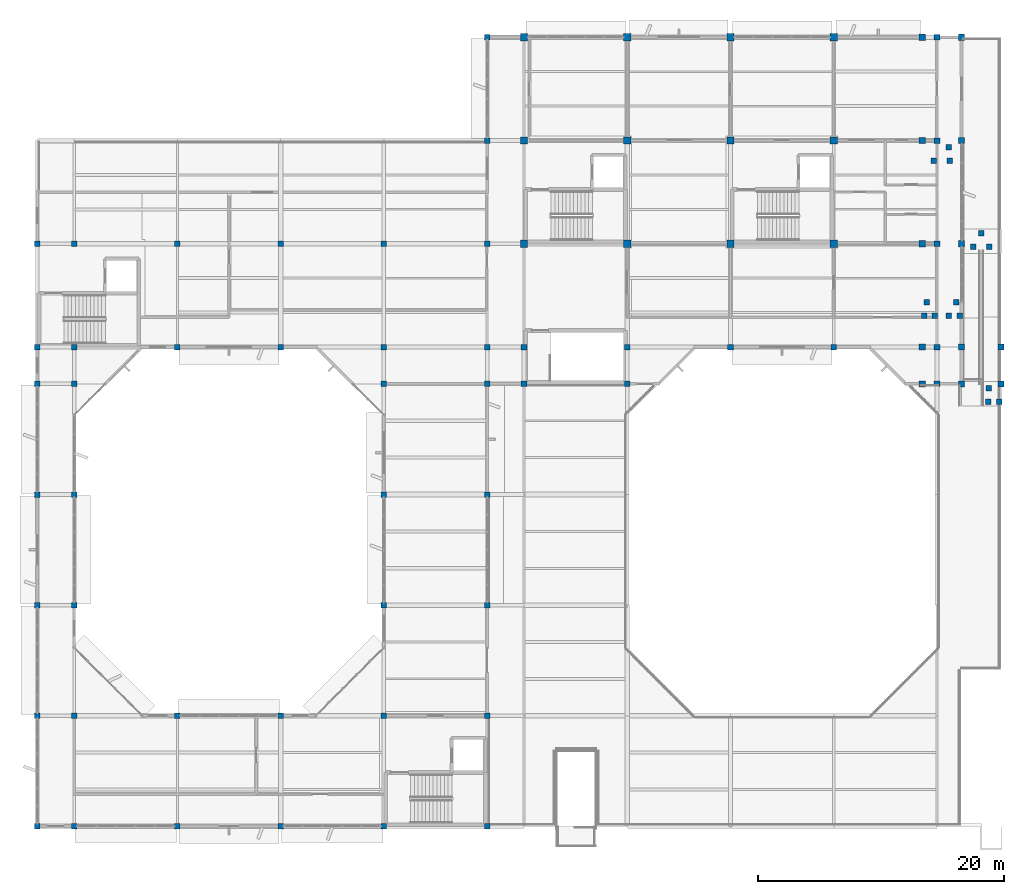
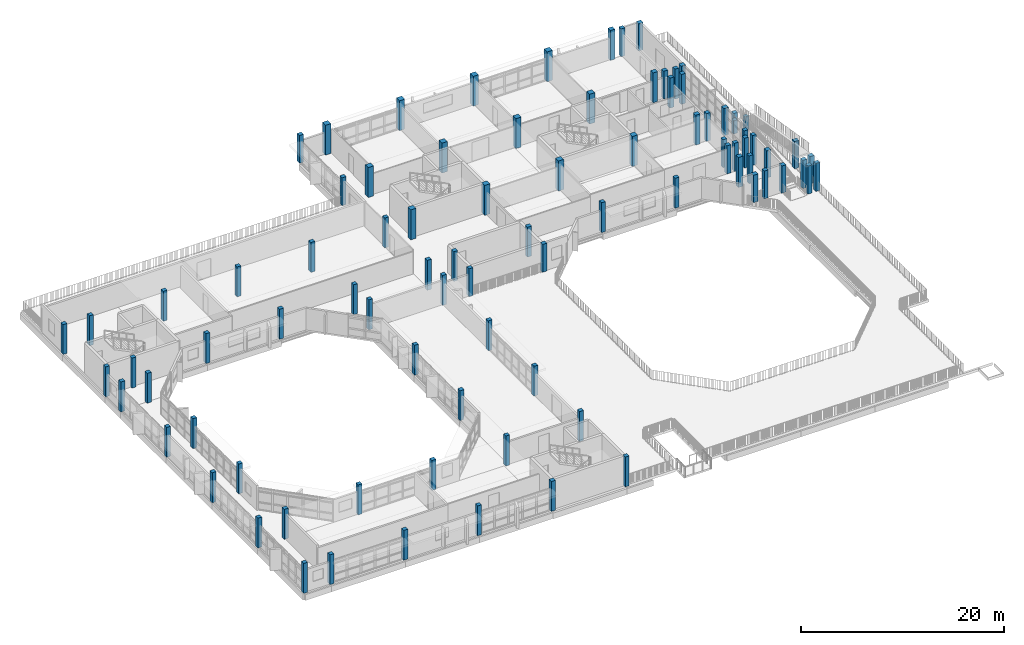
# One storey, part 1 of 42: 88 columns.
"""IFC4 building model written with IfcOpenShell, lengths in metres."""

import ifcopenshell
import ifcopenshell.guid

model = None  # the IFC model being written
_history = None  # IfcOwnerHistory: only IFC2X3 demands one
_inside = {}  # id of a spatial element -> (the spatial element, [elements in it])
_under = {}  # id of a project, library or spatial element -> (it, [spatial elements below it])
_declared = {}  # id of a project -> (the project, [libraries it declares])
_typed = {}  # id of a type object -> (the type object, [elements of that type])
_made_of = {}  # id of a material, layer set ... -> (it, [elements and type objects made of it])


def new_model(schema):
    """Start an empty IFC model of exactly this schema.

    Asked for "IFC4X3", IfcOpenShell would pick the latest addendum, in which some entities
    have other attributes; the version numbers below select the first issue.
    IFC2X3 requires an IfcOwnerHistory on every rooted entity: one is made here for all.
    """
    global model, _history
    if schema == "IFC4X3":
        model = ifcopenshell.file(schema_version=(4, 3, 0, 0))
    else:
        model = ifcopenshell.file(schema=schema)
    _inside.clear()
    _under.clear()
    _declared.clear()
    _typed.clear()
    _made_of.clear()
    _history = None
    if model.schema == "IFC2X3":
        org = make("IfcOrganization", Name="unknown")
        user = make(
            "IfcPersonAndOrganization",
            ThePerson=make("IfcPerson", FamilyName="unknown"),
            TheOrganization=org,
        )
        app = make(
            "IfcApplication",
            ApplicationDeveloper=org,
            Version="unknown",
            ApplicationFullName="unknown",
            ApplicationIdentifier="unknown",
        )
        _history = make(
            "IfcOwnerHistory",
            OwningUser=user,
            OwningApplication=app,
            ChangeAction="ADDED",
            CreationDate=0,
        )
    return model


def make(cls, **values):
    """One entity of the class cls with the attributes given. An attribute that is None is left unset."""
    return model.create_entity(
        cls, **{name: value for name, value in values.items() if value is not None}
    )


def rooted(cls, **values):
    """An entity with a GlobalId (a new one), such as an element, a storey or a relation."""
    return make(cls, GlobalId=ifcopenshell.guid.new(), OwnerHistory=_history, **values)


def si_unit(unit_type, name, prefix=None):
    """IfcSIUnit, for example si_unit("LENGTHUNIT", "METRE", prefix="MILLI")."""
    return make("IfcSIUnit", UnitType=unit_type, Prefix=prefix, Name=name)


def assignment(units):
    """IfcUnitAssignment: the units of a project."""
    return None if units is None else make("IfcUnitAssignment", Units=units)


def point(xyz):
    """IfcCartesianPoint."""
    return None if xyz is None else make("IfcCartesianPoint", Coordinates=xyz)


def direction(xyz):
    """IfcDirection."""
    return None if xyz is None else make("IfcDirection", DirectionRatios=xyz)


def frame(location, z_axis=None, x_axis=None):
    """IfcAxis2Placement3D, a coordinate frame: its origin and axes. An axis left out is left unset."""
    return make(
        "IfcAxis2Placement3D",
        Location=point(location),
        Axis=direction(z_axis),
        RefDirection=direction(x_axis),
    )


def frame_2d(location, x_axis=None):
    """IfcAxis2Placement2D, a coordinate frame in the plane: its origin and x axis."""
    return make(
        "IfcAxis2Placement2D", Location=point(location), RefDirection=direction(x_axis)
    )


def origin():
    """The frame at (0, 0, 0) with its axes left unset."""
    return frame((0.0, 0.0, 0.0))


def origin_2d():
    """The frame at (0, 0) in the plane with its x axis left unset."""
    return frame_2d((0.0, 0.0))


def place(relative_to, where):
    """IfcLocalPlacement: puts the frame where relative to a parent placement (None: the world)."""
    return make(
        "IfcLocalPlacement", PlacementRelTo=relative_to, RelativePlacement=where
    )


def context(
    kind, dimensions, precision=None, world=None, true_north=None, identifier=None
):
    """IfcGeometricRepresentationContext, for example the 3D "Model" context."""
    return make(
        "IfcGeometricRepresentationContext",
        ContextIdentifier=identifier,
        ContextType=kind,
        CoordinateSpaceDimension=dimensions,
        Precision=precision,
        WorldCoordinateSystem=world,
        TrueNorth=true_north,
    )


def subcontext(parent, identifier, kind, view, scale=None):
    """IfcGeometricRepresentationSubContext, for example "Body" below "Model"."""
    return make(
        "IfcGeometricRepresentationSubContext",
        ContextIdentifier=identifier,
        ContextType=kind,
        ParentContext=parent,
        TargetScale=scale,
        TargetView=view,
    )


def project(units=None, contexts=None):
    """IfcProject with its units and contexts."""
    return rooted(
        "IfcProject",
        Name="project",
        RepresentationContexts=contexts,
        UnitsInContext=assignment(units),
    )


def spatial(cls, under=None, at=None, **own):
    """A site, building, storey or space (cls), placed at a placement, below another one or the project."""
    s = rooted(cls, ObjectPlacement=at, **own)
    if under is not None:
        _under.setdefault(under.id(), (under, []))[1].append(s)
    return s


def profile(cls, at=None, kind="AREA", **sizes):
    """A parametric profile (cls). Its sizes go by their IFC names, for example OverallWidth=200.0."""
    return make(cls, ProfileType=kind, Position=at, **sizes)


def rectangle(**sizes):
    """IfcRectangleProfileDef."""
    return profile("IfcRectangleProfileDef", **sizes)


def extrude(swept, where, along, depth):
    """IfcExtrudedAreaSolid: the profile swept, set in the frame where, extruded along a direction by depth."""
    return make(
        "IfcExtrudedAreaSolid",
        SweptArea=swept,
        Position=where,
        ExtrudedDirection=direction(along),
        Depth=depth,
    )


def shape(context_of_items, identifier, shape_type, items):
    """IfcShapeRepresentation: the items that make up one representation, for example the "Body"."""
    return make(
        "IfcShapeRepresentation",
        ContextOfItems=context_of_items,
        RepresentationIdentifier=identifier,
        RepresentationType=shape_type,
        Items=items,
    )


def material(Name=None, Category=None):
    """IfcMaterial."""
    return make("IfcMaterial", Name=Name, Category=Category)


def material_profile(
    of_material, cross_section, Name=None, Category=None, Priority=None
):
    """IfcMaterialProfile: a cross section and its material."""
    return make(
        "IfcMaterialProfile",
        Name=Name,
        Material=of_material,
        Profile=cross_section,
        Priority=Priority,
        Category=Category,
    )


def profile_set(profiles, Name=None, composite=None):
    """IfcMaterialProfileSet."""
    return make(
        "IfcMaterialProfileSet",
        Name=Name,
        MaterialProfiles=profiles,
        CompositeProfile=composite,
    )


def made_of(thing, what):
    """Note that an element or type object is made of a material, layer set ...; save() writes the relation."""
    if what is not None:
        _made_of.setdefault(what.id(), (what, []))[1].append(thing)
    return thing


def type_object(cls, material=None, **own):
    """A type object (cls), such as IfcWallType, which elements share."""
    return made_of(rooted(cls, **own), material)


def element(
    cls,
    number,
    at=None,
    inside=None,
    cuts=None,
    type_object=None,
    material=None,
    context=None,
    identifier="Body",
    shape_type=None,
    held_by="IfcProductDefinitionShape",
    body=None,
    shapes=None,
    **own,
):
    """One element of the class cls, such as IfcWall. Its Tag is "e" and its number.

    at: its placement. inside: the storey or other place that contains it. cuts: it is an
    opening in that element (IfcRelVoidsElement). A single representation is given by context,
    identifier, shape_type and body (its items); several are given by shapes. held_by: the class
    of the entity that holds the representations. save() writes the other relations.
    """
    e = rooted(cls, Tag="e%d" % number, ObjectPlacement=at, **own)
    if body is not None:
        shapes = [shape(context, identifier, shape_type, body)]
    if shapes is not None:
        e.Representation = make(held_by, Representations=shapes)
    if inside is not None:
        _inside.setdefault(inside.id(), (inside, []))[1].append(e)
    if cuts is not None:
        rooted(
            "IfcRelVoidsElement", RelatingBuildingElement=cuts, RelatedOpeningElement=e
        )
    if type_object is not None:
        _typed.setdefault(type_object.id(), (type_object, []))[1].append(e)
    return made_of(e, material)


def aggregate(whole, parts):
    """IfcRelAggregates: a whole, such as a stair, and the parts it consists of."""
    return rooted("IfcRelAggregates", RelatingObject=whole, RelatedObjects=parts)


def save(model, path):
    """Write the relations noted so far, then the file.

    IfcRelAggregates (storeys below a building ...), IfcRelContainedInSpatialStructure (elements
    in a storey), IfcRelDefinesByType, IfcRelAssociatesMaterial and IfcRelDeclares: one each for
    every whole, place, type object, material and project.
    """
    for whole, parts in _under.values():
        aggregate(whole, parts)
    for where, things in _inside.values():
        rooted(
            "IfcRelContainedInSpatialStructure",
            RelatedElements=things,
            RelatingStructure=where,
        )
    for kind, things in _typed.values():
        rooted("IfcRelDefinesByType", RelatedObjects=things, RelatingType=kind)
    for what, things in _made_of.values():
        rooted("IfcRelAssociatesMaterial", RelatedObjects=things, RelatingMaterial=what)
    for by, libraries in _declared.values():
        rooted("IfcRelDeclares", RelatingContext=by, RelatedDefinitions=libraries)
    model.write(path)


model = new_model("IFC4")

# Units and contexts
model_context = context("Model", 3, precision=1e-05, world=origin(), true_north=direction((0.0, 1.0)))
body_context = subcontext(model_context, "Body", "Model", "MODEL_VIEW")
ifc_project = project(units=[si_unit("LENGTHUNIT", "METRE"), si_unit("AREAUNIT", "SQUARE_METRE"), si_unit("VOLUMEUNIT", "CUBIC_METRE"), si_unit("PLANEANGLEUNIT", "RADIAN"), si_unit("MASSUNIT", "GRAM", prefix="KILO")], contexts=[model_context])

# Site, building, storey
site_placement = place(None, origin())
site = spatial("IfcSite", under=ifc_project, at=site_placement, CompositionType="ELEMENT")
building_placement = place(site_placement, origin())
building = spatial("IfcBuilding", under=site, at=building_placement, Name="Vanh Quang Courtyard School", CompositionType="ELEMENT")
storey_placement = place(building_placement, frame((0.0, 0.0, 15.0)))
storey = spatial("IfcBuildingStorey", under=building, at=storey_placement, Name="L04", CompositionType="ELEMENT", Elevation=15.0)

# Columns
ifc_material = material(Name="Concrete C35/45", Category="concrete")
ifc_material_profile_1 = material_profile(ifc_material, rectangle(XDim=0.449951171875, YDim=0.449951171875, at=origin_2d()), Name="RC-COL 450x450")
ifc_profile_set_1 = profile_set([ifc_material_profile_1], Name="Concrete C35/45")
column_type_1 = type_object("IfcColumnType", Name="COL-RC-450", PredefinedType="COLUMN", material=ifc_profile_set_1)
for number, where, z_axis, x_axis, name in (
    (1, (37.800048828125, 32.39990234375, 0.0), (0.0, 0.0, 1.0), (1.0, 0.0, 0.0), "Column C-06 (L04)"),
    (2, (37.800048828125, 41.39990234375, 0.0), (0.0, 0.0, 1.0), (1.0, 0.0, 0.0), "Column C-06 (L04)"),
    (3, (37.800048828125, 50.39990234375, 0.0), (0.0, 0.0, 1.0), (1.0, 0.0, 0.0), "Column C-06 (L04)"),
    (4, (37.800048828125, 59.39990234375, 0.0), (0.0, 0.0, 1.0), (1.0, 0.0, 0.0), "Column C-06 (L04)"),
    (5, (37.800048828125, 68.39990234375, 0.0), (0.0, 0.0, 1.0), (1.0, 0.0, 0.0), "Column C-06 (L04)"),
    (6, (37.800048828125, 71.39990234375, 0.0), (0.0, 0.0, 1.0), (1.0, 0.0, 0.0), "Column C-06 (L04)"),
    (7, (37.800048828125, 79.800048828125, 0.0), (0.0, 0.0, 1.0), (1.0, 0.0, 0.0), "Column C-06 (L04)"),
    (8, (40.800048828125, 32.39990234375, 0.0), (0.0, 0.0, 1.0), (1.0, 0.0, 0.0), "Column C-06 (L04)"),
    (9, (40.800048828125, 41.39990234375, 0.0), (0.0, 0.0, 1.0), (1.0, 0.0, 0.0), "Column C-06 (L04)"),
    (10, (40.800048828125, 50.39990234375, 0.0), (0.0, 0.0, 1.0), (1.0, 0.0, 0.0), "Column C-06 (L04)"),
    (11, (40.800048828125, 59.39990234375, 0.0), (0.0, 0.0, 1.0), (1.0, 0.0, 0.0), "Column C-06 (L04)"),
    (12, (40.800048828125, 68.39990234375, 0.0), (0.0, 0.0, 1.0), (1.0, 0.0, 0.0), "Column C-06 (L04)"),
    (13, (40.800048828125, 71.39990234375, 0.0), (0.0, 0.0, 1.0), (1.0, 0.0, 0.0), "Column C-06 (L04)"),
    (14, (40.800048828125, 79.800048828125, 0.0), (0.0, 0.0, 1.0), (1.0, 0.0, 0.0), "Column C-06 (L04)"),
    (15, (49.199951171875, 32.39990234375, 0.0), (0.0, 0.0, 1.0), (1.0, 0.0, 0.0), "Column C-06 (L04)"),
    (16, (49.199951171875, 41.39990234375, 0.0), (0.0, 0.0, 1.0), (1.0, 0.0, 0.0), "Column C-06 (L04)"),
    (17, (49.199951171875, 71.39990234375, 0.0), (0.0, 0.0, 1.0), (1.0, 0.0, 0.0), "Column C-06 (L04)"),
    (18, (49.199951171875, 79.800048828125, 0.0), (0.0, 0.0, 1.0), (1.0, 0.0, 0.0), "Column C-06 (L04)"),
    (19, (57.60009765625, 32.39990234375, 0.0), (0.0, 0.0, 1.0), (1.0, 0.0, 0.0), "Column C-06 (L04)"),
    (20, (57.60009765625, 41.39990234375, 0.0), (0.0, 0.0, 1.0), (1.0, 0.0, 0.0), "Column C-06 (L04)"),
    (21, (57.60009765625, 71.39990234375, 0.0), (0.0, 0.0, 1.0), (1.0, 0.0, 0.0), "Column C-06 (L04)"),
    (22, (57.60009765625, 79.800048828125, 0.0), (0.0, 0.0, 1.0), (1.0, 0.0, 0.0), "Column C-06 (L04)"),
    (23, (66.0, 32.39990234375, 0.0), (0.0, 0.0, 1.0), (1.0, 0.0, 0.0), "Column C-06 (L04)"),
    (24, (66.0, 41.39990234375, 0.0), (0.0, 0.0, 1.0), (1.0, 0.0, 0.0), "Column C-06 (L04)"),
    (25, (66.0, 50.39990234375, 0.0), (0.0, 0.0, 1.0), (1.0, 0.0, 0.0), "Column C-06 (L04)"),
    (26, (66.0, 59.39990234375, 0.0), (0.0, 0.0, 1.0), (1.0, 0.0, 0.0), "Column C-06 (L04)"),
    (27, (66.0, 68.39990234375, 0.0), (0.0, 0.0, 1.0), (1.0, 0.0, 0.0), "Column C-06 (L04)"),
    (28, (66.0, 71.39990234375, 0.0), (0.0, 0.0, 1.0), (1.0, 0.0, 0.0), "Column C-06 (L04)"),
    (29, (66.0, 79.800048828125, 0.0), (0.0, 0.0, 1.0), (1.0, 0.0, 0.0), "Column C-06 (L04)"),
    (30, (74.39990234375, 32.39990234375, 0.0), (0.0, 0.0, 1.0), (1.0, 0.0, 0.0), "Column C-06 (L04)"),
    (31, (74.39990234375, 41.39990234375, 0.0), (0.0, 0.0, 1.0), (1.0, 0.0, 0.0), "Column C-06 (L04)"),
    (32, (74.39990234375, 50.39990234375, 0.0), (0.0, 0.0, 1.0), (1.0, 0.0, 0.0), "Column C-06 (L04)"),
    (33, (74.39990234375, 59.39990234375, 0.0), (0.0, 0.0, 1.0), (1.0, 0.0, 0.0), "Column C-06 (L04)"),
    (34, (74.39990234375, 68.39990234375, 0.0), (0.0, 0.0, 1.0), (1.0, 0.0, 0.0), "Column C-06 (L04)"),
    (35, (74.39990234375, 71.39990234375, 0.0), (0.0, 0.0, 1.0), (1.0, 0.0, 0.0), "Column C-06 (L04)"),
    (36, (74.39990234375, 79.800048828125, 0.0), (0.0, 0.0, 1.0), (1.0, 0.0, 0.0), "Column C-06 (L04)"),
):
    element("IfcColumn", number, at=place(storey_placement, frame(where, z_axis=z_axis, x_axis=x_axis)), inside=storey, type_object=column_type_1, Name=name, PredefinedType="COLUMN", context=body_context, shape_type="SweptSolid", body=[
        extrude(rectangle(XDim=0.449951171875, YDim=0.449951171875, at=origin_2d()), origin(), (0.0, 0.0, 1.0), 3.60009765625),
    ])
for number, where, z_axis, x_axis, name in (
    (37, (74.39990234375, 88.199951171875, 0.0), (0.0, 0.0, 1.0), (1.0, 0.0, 0.0), "Column C-06 (L04)"),
    (38, (74.39990234375, 96.60009765625, 0.0), (0.0, 0.0, 1.0), (1.0, 0.0, 0.0), "Column C-06 (L04)"),
    (39, (77.39990234375, 68.39990234375, 0.0), (0.0, 0.0, 1.0), (1.0, 0.0, 0.0), "Column C-06 (L04)"),
):
    element("IfcColumn", number, at=place(storey_placement, frame(where, z_axis=z_axis, x_axis=x_axis)), inside=storey, type_object=column_type_1, Name=name, PredefinedType="COLUMN", context=body_context, shape_type="SweptSolid", body=[
        extrude(rectangle(XDim=0.449951171875, YDim=0.449951171875, at=origin_2d()), origin(), (0.0, 0.0, 1.0), 3.35009765625),
    ])
column_1_placement = place(storey_placement, frame((77.39990234375, 71.39990234375, 0.0), z_axis=(0.0, 0.0, 1.0), x_axis=(1.0, 0.0, 0.0)))
element("IfcColumn", 40, at=column_1_placement, inside=storey, type_object=column_type_1, Name="Column C-06 (L04)", PredefinedType="COLUMN", context=body_context, shape_type="SweptSolid", body=[
    extrude(rectangle(XDim=0.449951171875, YDim=0.449951171875, at=origin_2d()), origin(), (0.0, 0.0, 1.0), 3.60009765625),
])
column_2_placement = place(storey_placement, frame((85.800048828125, 68.39990234375, 0.0), z_axis=(0.0, 0.0, 1.0), x_axis=(1.0, 0.0, 0.0)))
element("IfcColumn", 41, at=column_2_placement, inside=storey, type_object=column_type_1, Name="Column C-06 (L04)", PredefinedType="COLUMN", context=body_context, shape_type="SweptSolid", body=[
    extrude(rectangle(XDim=0.449951171875, YDim=0.449951171875, at=origin_2d()), origin(), (0.0, 0.0, 1.0), 3.35009765625),
])
for number, where, z_axis, x_axis, name in (
    (42, (85.800048828125, 71.39990234375, 0.0), (0.0, 0.0, 1.0), (1.0, 0.0, 0.0), "Column C-06 (L04)"),
    (43, (94.199951171875, 71.39990234375, 0.0), (0.0, 0.0, 1.0), (1.0, 0.0, 0.0), "Column C-06 (L04)"),
    (44, (102.60009765625, 71.39990234375, 0.0), (0.0, 0.0, 1.0), (1.0, 0.0, 0.0), "Column C-06 (L04)"),
):
    element("IfcColumn", number, at=place(storey_placement, frame(where, z_axis=z_axis, x_axis=x_axis)), inside=storey, type_object=column_type_1, Name=name, PredefinedType="COLUMN", context=body_context, shape_type="SweptSolid", body=[
        extrude(rectangle(XDim=0.449951171875, YDim=0.449951171875, at=origin_2d()), origin(), (0.0, 0.0, 1.0), 3.60009765625),
    ])
for number, where, z_axis, x_axis, name in (
    (45, (111.0, 68.39990234375, 0.0), (0.0, 0.0, 1.0), (1.0, 0.0, 0.0), "Column C-06 (L04)"),
    (46, (111.0, 71.39990234375, 0.0), (0.0, 0.0, 1.0), (1.0, 0.0, 0.0), "Column C-06 (L04)"),
    (47, (111.0, 79.800048828125, 0.0), (0.0, 0.0, 1.0), (1.0, 0.0, 0.0), "Column C-06 (L04)"),
    (48, (111.0, 88.199951171875, 0.0), (0.0, 0.0, 1.0), (1.0, 0.0, 0.0), "Column C-06 (L04)"),
    (49, (111.0, 96.60009765625, 0.0), (0.0, 0.0, 1.0), (1.0, 0.0, 0.0), "Column C-06 (L04)"),
):
    element("IfcColumn", number, at=place(storey_placement, frame(where, z_axis=z_axis, x_axis=x_axis)), inside=storey, type_object=column_type_1, Name=name, PredefinedType="COLUMN", context=body_context, shape_type="SweptSolid", body=[
        extrude(rectangle(XDim=0.449951171875, YDim=0.449951171875, at=origin_2d()), origin(), (0.0, 0.0, 1.0), 3.35009765625),
    ])
for number, where, z_axis, x_axis, name in (
    (50, (113.949951171875, 79.550048828125, 0.0), (0.0, 0.0, 1.0), (1.0, 0.0, 0.0), "Column C-06 (L04)"),
    (51, (115.25, 79.550048828125, 0.0), (0.0, 0.0, 1.0), (1.0, 0.0, 0.0), "Column C-06 (L04)"),
    (52, (114.60009765625, 80.64990234375, 0.0), (0.0, 0.0, 1.0), (1.0, 0.0, 0.0), "Column C-06 (L04)"),
):
    element("IfcColumn", number, at=place(storey_placement, frame(where, z_axis=z_axis, x_axis=x_axis)), inside=storey, type_object=column_type_1, Name=name, PredefinedType="COLUMN", context=body_context, shape_type="SweptSolid", body=[
        extrude(rectangle(XDim=0.449951171875, YDim=0.449951171875, at=origin_2d()), origin(), (0.0, 0.0, 1.0), 1.580078125),
    ])
for number, where, z_axis, x_axis, name in (
    (53, (115.14990234375, 66.949951171875, 0.0), (0.0, 0.0, 1.0), (1.0, 0.0, 0.0), "Column C-06 (L04)"),
    (54, (116.050048828125, 66.949951171875, 0.0), (0.0, 0.0, 1.0), (1.0, 0.0, 0.0), "Column C-06 (L04)"),
    (55, (115.199951171875, 68.050048828125, 0.0), (0.0, 0.0, 1.0), (1.0, 0.0, 0.0), "Column C-06 (L04)"),
):
    element("IfcColumn", number, at=place(storey_placement, frame(where, z_axis=z_axis, x_axis=x_axis)), inside=storey, type_object=column_type_1, Name=name, PredefinedType="COLUMN", context=body_context, shape_type="SweptSolid", body=[
        extrude(rectangle(XDim=0.449951171875, YDim=0.449951171875, at=origin_2d()), origin(), (0.0, 0.0, 1.0), 3.3798828125),
    ])
for number, where, z_axis, x_axis, name in (
    (56, (110.75, 86.550048828125, 0.0), (0.0, 0.0, 1.0), (1.0, 0.0, 0.0), "Column C-06 (L04)"),
    (57, (112.050048828125, 86.550048828125, 0.0), (0.0, 0.0, 1.0), (1.0, 0.0, 0.0), "Column C-06 (L04)"),
    (58, (111.949951171875, 87.64990234375, 0.0), (0.0, 0.0, 1.0), (1.0, 0.0, 0.0), "Column C-06 (L04)"),
    (59, (111.949951171875, 73.949951171875, 0.0), (0.0, 0.0, 1.0), (1.0, 0.0, 0.0), "Column C-06 (L04)"),
    (60, (112.85009765625, 73.949951171875, 0.0), (0.0, 0.0, 1.0), (1.0, 0.0, 0.0), "Column C-06 (L04)"),
    (61, (112.550048828125, 75.050048828125, 0.0), (0.0, 0.0, 1.0), (1.0, 0.0, 0.0), "Column C-06 (L04)"),
):
    element("IfcColumn", number, at=place(storey_placement, frame(where, z_axis=z_axis, x_axis=x_axis)), inside=storey, type_object=column_type_1, Name=name, PredefinedType="COLUMN", context=body_context, shape_type="SweptSolid", body=[
        extrude(rectangle(XDim=0.449951171875, YDim=0.449951171875, at=origin_2d()), origin(), (0.0, 0.0, 1.0), 3.60009765625),
    ])
for number, where, z_axis, x_axis, name in (
    (62, (109.949951171875, 73.949951171875, 0.0), (0.0, 0.0, 1.0), (1.0, 0.0, 0.0), "Column C-06 (L04)"),
    (63, (110.800048828125, 73.949951171875, 0.0), (0.0, 0.0, 1.0), (1.0, 0.0, 0.0), "Column C-06 (L04)"),
    (64, (110.14990234375, 75.050048828125, 0.0), (0.0, 0.0, 1.0), (1.0, 0.0, 0.0), "Column C-06 (L04)"),
):
    element("IfcColumn", number, at=place(storey_placement, frame(where, z_axis=z_axis, x_axis=x_axis)), inside=storey, type_object=column_type_1, Name=name, PredefinedType="COLUMN", context=body_context, shape_type="SweptSolid", body=[
        extrude(rectangle(XDim=0.449951171875, YDim=0.449951171875, at=origin_2d()), origin(), (0.0, 0.0, 1.0), 3.3798828125),
    ])
ifc_material_profile_2 = material_profile(ifc_material, rectangle(XDim=0.5, YDim=0.5, at=origin_2d()), Name="RC-COL 500x500")
ifc_profile_set_2 = profile_set([ifc_material_profile_2], Name="Concrete C35/45")
column_type_2 = type_object("IfcColumnType", Name="COL-RC-500", PredefinedType="COLUMN", material=ifc_profile_set_2)
for number, where, z_axis, x_axis, name in (
    (65, (116.199951171875, 68.39990234375, 0.0), (0.0, 0.0, 1.0), (1.0, 0.0, 0.0), "Column C-05 (L04)"),
    (66, (116.199951171875, 71.39990234375, 0.0), (0.0, 0.0, 1.0), (1.0, 0.0, 0.0), "Column C-05 (L04)"),
    (67, (113.0, 68.39990234375, 0.0), (0.0, 0.0, 1.0), (1.0, 0.0, 0.0), "Column C-05 (L04)"),
    (68, (113.0, 71.39990234375, 0.0), (0.0, 0.0, 1.0), (1.0, 0.0, 0.0), "Column C-05 (L04)"),
    (69, (113.0, 79.800048828125, 0.0), (0.0, 0.0, 1.0), (1.0, 0.0, 0.0), "Column C-05 (L04)"),
    (70, (113.0, 88.199951171875, 0.0), (0.0, 0.0, 1.0), (1.0, 0.0, 0.0), "Column C-05 (L04)"),
    (71, (113.0, 96.60009765625, 0.0), (0.0, 0.0, 1.0), (1.0, 0.0, 0.0), "Column C-05 (L04)"),
    (72, (109.800048828125, 68.39990234375, 0.0), (0.0, 0.0, 1.0), (1.0, 0.0, 0.0), "Column C-05 (L04)"),
):
    element("IfcColumn", number, at=place(storey_placement, frame(where, z_axis=z_axis, x_axis=x_axis)), inside=storey, type_object=column_type_2, Name=name, PredefinedType="COLUMN", context=body_context, shape_type="SweptSolid", body=[
        extrude(rectangle(XDim=0.5, YDim=0.5, at=origin_2d()), origin(), (0.0, 0.0, 1.0), 3.280029296875),
    ])
for number, where, z_axis, x_axis, name in (
    (73, (109.800048828125, 71.39990234375, 0.0), (0.0, 0.0, 1.0), (1.0, 0.0, 0.0), "Column C-05 (L04)"),
    (74, (109.800048828125, 79.800048828125, 0.0), (0.0, 0.0, 1.0), (1.0, 0.0, 0.0), "Column C-05 (L04)"),
    (75, (109.800048828125, 88.199951171875, 0.0), (0.0, 0.0, 1.0), (1.0, 0.0, 0.0), "Column C-05 (L04)"),
    (76, (109.800048828125, 96.60009765625, 0.0), (0.0, 0.0, 1.0), (1.0, 0.0, 0.0), "Column C-05 (L04)"),
):
    element("IfcColumn", number, at=place(storey_placement, frame(where, z_axis=z_axis, x_axis=x_axis)), inside=storey, type_object=column_type_2, Name=name, PredefinedType="COLUMN", context=body_context, shape_type="SweptSolid", body=[
        extrude(rectangle(XDim=0.5, YDim=0.5, at=origin_2d()), origin(), (0.0, 0.0, 1.0), 3.60009765625),
    ])
ifc_material_profile_3 = material_profile(ifc_material, rectangle(XDim=0.60009765625, YDim=0.60009765625, at=origin_2d()), Name="RC-COL 600x600")
ifc_profile_set_3 = profile_set([ifc_material_profile_3], Name="Concrete C35/45")
column_type_3 = type_object("IfcColumnType", Name="COL-RC-600", PredefinedType="COLUMN", material=ifc_profile_set_3)
for number, where, z_axis, x_axis, name in (
    (77, (77.39990234375, 79.800048828125, 0.0), (0.0, 0.0, 1.0), (1.0, 0.0, 0.0), "Column C-03 (L04)"),
    (78, (77.39990234375, 88.199951171875, 0.0), (0.0, 0.0, 1.0), (1.0, 0.0, 0.0), "Column C-03 (L04)"),
    (79, (77.39990234375, 96.60009765625, 0.0), (0.0, 0.0, 1.0), (1.0, 0.0, 0.0), "Column C-03 (L04)"),
    (80, (85.800048828125, 79.800048828125, 0.0), (0.0, 0.0, 1.0), (1.0, 0.0, 0.0), "Column C-03 (L04)"),
    (81, (85.800048828125, 88.199951171875, 0.0), (0.0, 0.0, 1.0), (1.0, 0.0, 0.0), "Column C-03 (L04)"),
    (82, (85.800048828125, 96.60009765625, 0.0), (0.0, 0.0, 1.0), (1.0, 0.0, 0.0), "Column C-03 (L04)"),
    (83, (94.199951171875, 79.800048828125, 0.0), (0.0, 0.0, 1.0), (1.0, 0.0, 0.0), "Column C-03 (L04)"),
    (84, (94.199951171875, 88.199951171875, 0.0), (0.0, 0.0, 1.0), (1.0, 0.0, 0.0), "Column C-03 (L04)"),
    (85, (94.199951171875, 96.60009765625, 0.0), (0.0, 0.0, 1.0), (1.0, 0.0, 0.0), "Column C-03 (L04)"),
    (86, (102.60009765625, 79.800048828125, 0.0), (0.0, 0.0, 1.0), (1.0, 0.0, 0.0), "Column C-03 (L04)"),
    (87, (102.60009765625, 88.199951171875, 0.0), (0.0, 0.0, 1.0), (1.0, 0.0, 0.0), "Column C-03 (L04)"),
    (88, (102.60009765625, 96.60009765625, 0.0), (0.0, 0.0, 1.0), (1.0, 0.0, 0.0), "Column C-03 (L04)"),
):
    element("IfcColumn", number, at=place(storey_placement, frame(where, z_axis=z_axis, x_axis=x_axis)), inside=storey, type_object=column_type_3, Name=name, PredefinedType="COLUMN", context=body_context, shape_type="SweptSolid", body=[
        extrude(rectangle(XDim=0.60009765625, YDim=0.60009765625, at=origin_2d()), origin(), (0.0, 0.0, 1.0), 3.60009765625),
    ])

save(model, "model.ifc")
